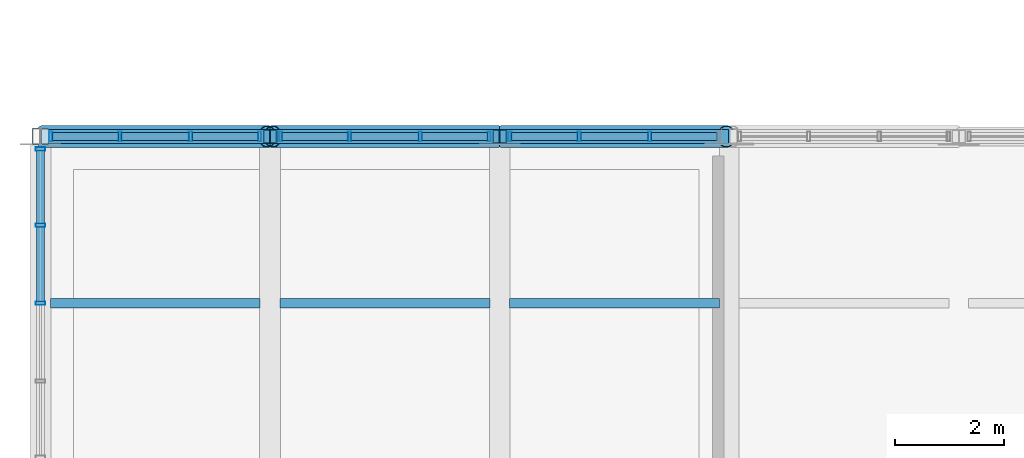
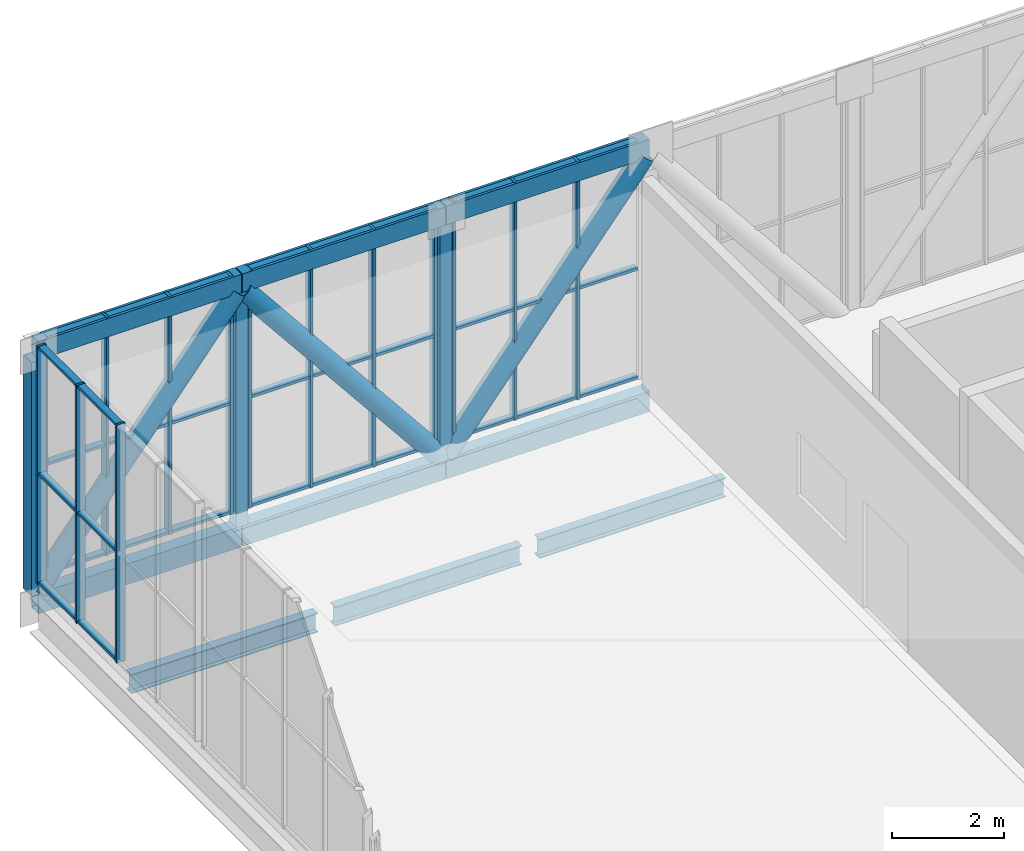
# One storey, part 12 of 58: 59 members, 3 beams, 4 elements without a shape of their own.
"""IFC4 building model written with IfcOpenShell, lengths in metres."""

from ifc_helpers import new_model, si_unit, direction, frame, origin, origin_2d, place, context, subcontext, project, spatial, hollow_rectangle, hollow_circle, i_section, extrude, material, material_profile, profile_set, type_object, element, aggregate, save


model = new_model("IFC4")

# Units and contexts
model_context = context("Model", 3, precision=1e-05, world=origin(), true_north=direction((0.0, 1.0)))
body_context = subcontext(model_context, "Body", "Model", "MODEL_VIEW")
ifc_project = project(units=[si_unit("LENGTHUNIT", "METRE"), si_unit("AREAUNIT", "SQUARE_METRE"), si_unit("VOLUMEUNIT", "CUBIC_METRE"), si_unit("PLANEANGLEUNIT", "RADIAN"), si_unit("MASSUNIT", "GRAM", prefix="KILO")], contexts=[model_context])

# Site, building, storey
site_placement = place(None, origin())
site = spatial("IfcSite", under=ifc_project, at=site_placement, CompositionType="ELEMENT")
building_placement = place(site_placement, origin())
building = spatial("IfcBuilding", under=site, at=building_placement, Name="Khurvash Pelagic Aquarium", CompositionType="ELEMENT")
storey_placement = place(building_placement, frame((0.0, 0.0, 24.60009765625)))
storey = spatial("IfcBuildingStorey", under=building, at=storey_placement, Name="L05", CompositionType="ELEMENT", Elevation=24.60009765625)

# Curtain wall, members
ifc_material_1 = material(Name="Anodised aluminium and low-E laminated glass", Category="aluminium")
curtain_wall_type_1 = type_object("IfcCurtainWallType", Name="CW-01", PredefinedType="USERDEFINED", material=ifc_material_1)
curtain_wall_1_placement = place(storey_placement, origin())
curtain_wall_1 = element("IfcCurtainWall", 1, at=curtain_wall_1_placement, inside=storey, type_object=curtain_wall_type_1, Name="L05 North Sky-Bar Unitised Curtain Wall CW-01 P01", ObjectType="UNITISED CURTAIN WALL", PredefinedType="USERDEFINED")
ifc_material_2 = material(Name="Extruded aluminium AW-6063-T6", Category="aluminium")
ifc_material_profile_1 = material_profile(ifc_material_2, hollow_rectangle(XDim=0.06005859375, YDim=0.179931640625, WallThickness=0.00390625, at=origin_2d()), Name="CWM60X180X4")
ifc_profile_set_1 = profile_set([ifc_material_profile_1], Name="Extruded aluminium AW-6063-T6")
member_type_1 = type_object("IfcMemberType", Name="CM-01", PredefinedType="MULLION", material=ifc_profile_set_1)
member_1_placement = place(storey_placement, frame((12.7900390625, 29.75, 0.0), z_axis=(0.0, 0.0, 1.0), x_axis=(1.0, 0.0, 0.0)))
member_1 = element("IfcMember", 2, at=member_1_placement, type_object=member_type_1, Name="CW-01 mullion 1", PredefinedType="MULLION", context=body_context, shape_type="SweptSolid", body=[
    extrude(hollow_rectangle(XDim=0.06005859375, YDim=0.179931640625, WallThickness=0.00390625, at=origin_2d()), origin(), (0.0, 0.0, 1.0), 5.179931640625),
])
member_2_placement = place(storey_placement, frame((14.05322265625, 29.75, 0.0), z_axis=(0.0, 0.0, 1.0), x_axis=(1.0, 0.0, 0.0)))
member_2 = element("IfcMember", 3, at=member_2_placement, type_object=member_type_1, Name="CW-01 mullion 2", PredefinedType="MULLION", context=body_context, shape_type="SweptSolid", body=[
    extrude(hollow_rectangle(XDim=0.06005859375, YDim=0.179931640625, WallThickness=0.00390625, at=origin_2d()), origin(), (0.0, 0.0, 1.0), 5.179931640625),
])
member_3_placement = place(storey_placement, frame((15.3466796875, 29.75, 0.0), z_axis=(0.0, 0.0, 1.0), x_axis=(1.0, 0.0, 0.0)))
member_3 = element("IfcMember", 4, at=member_3_placement, type_object=member_type_1, Name="CW-01 mullion 3", PredefinedType="MULLION", context=body_context, shape_type="SweptSolid", body=[
    extrude(hollow_rectangle(XDim=0.06005859375, YDim=0.179931640625, WallThickness=0.00390625, at=origin_2d()), origin(), (0.0, 0.0, 1.0), 5.179931640625),
])
member_4_placement = place(storey_placement, frame((16.610107421875, 29.75, 0.0), z_axis=(0.0, 0.0, 1.0), x_axis=(1.0, 0.0, 0.0)))
member_4 = element("IfcMember", 5, at=member_4_placement, type_object=member_type_1, Name="CW-01 mullion 4", PredefinedType="MULLION", context=body_context, shape_type="SweptSolid", body=[
    extrude(hollow_rectangle(XDim=0.06005859375, YDim=0.179931640625, WallThickness=0.00390625, at=origin_2d()), origin(), (0.0, 0.0, 1.0), 5.179931640625),
])

curtain_wall_2_placement = place(storey_placement, origin())
curtain_wall_2 = element("IfcCurtainWall", 6, at=curtain_wall_2_placement, inside=storey, type_object=curtain_wall_type_1, Name="L05 North Sky-Bar Unitised Curtain Wall CW-01 P02", ObjectType="UNITISED CURTAIN WALL", PredefinedType="USERDEFINED")
member_5_placement = place(storey_placement, frame((16.989990234375, 29.75, 0.0), z_axis=(0.0, 0.0, 1.0), x_axis=(1.0, 0.0, 0.0)))
member_5 = element("IfcMember", 7, at=member_5_placement, type_object=member_type_1, Name="CW-01 mullion 1", PredefinedType="MULLION", context=body_context, shape_type="SweptSolid", body=[
    extrude(hollow_rectangle(XDim=0.06005859375, YDim=0.179931640625, WallThickness=0.00390625, at=origin_2d()), origin(), (0.0, 0.0, 1.0), 5.179931640625),
])
member_6_placement = place(storey_placement, frame((18.25341796875, 29.75, 0.0), z_axis=(0.0, 0.0, 1.0), x_axis=(1.0, 0.0, 0.0)))
member_6 = element("IfcMember", 8, at=member_6_placement, type_object=member_type_1, Name="CW-01 mullion 2", PredefinedType="MULLION", context=body_context, shape_type="SweptSolid", body=[
    extrude(hollow_rectangle(XDim=0.06005859375, YDim=0.179931640625, WallThickness=0.00390625, at=origin_2d()), origin(), (0.0, 0.0, 1.0), 5.179931640625),
])
member_7_placement = place(storey_placement, frame((19.546630859375, 29.75, 0.0), z_axis=(0.0, 0.0, 1.0), x_axis=(1.0, 0.0, 0.0)))
member_7 = element("IfcMember", 9, at=member_7_placement, type_object=member_type_1, Name="CW-01 mullion 3", PredefinedType="MULLION", context=body_context, shape_type="SweptSolid", body=[
    extrude(hollow_rectangle(XDim=0.06005859375, YDim=0.179931640625, WallThickness=0.00390625, at=origin_2d()), origin(), (0.0, 0.0, 1.0), 5.179931640625),
])
member_8_placement = place(storey_placement, frame((20.81005859375, 29.75, 0.0), z_axis=(0.0, 0.0, 1.0), x_axis=(1.0, 0.0, 0.0)))
member_8 = element("IfcMember", 10, at=member_8_placement, type_object=member_type_1, Name="CW-01 mullion 4", PredefinedType="MULLION", context=body_context, shape_type="SweptSolid", body=[
    extrude(hollow_rectangle(XDim=0.06005859375, YDim=0.179931640625, WallThickness=0.00390625, at=origin_2d()), origin(), (0.0, 0.0, 1.0), 5.179931640625),
])

curtain_wall_3_placement = place(storey_placement, origin())
curtain_wall_3 = element("IfcCurtainWall", 11, at=curtain_wall_3_placement, inside=storey, type_object=curtain_wall_type_1, Name="L05 North Sky-Bar Unitised Curtain Wall CW-01 P03", ObjectType="UNITISED CURTAIN WALL", PredefinedType="USERDEFINED")
member_9_placement = place(storey_placement, frame((21.18994140625, 29.75, 0.0), z_axis=(0.0, 0.0, 1.0), x_axis=(1.0, 0.0, 0.0)))
member_9 = element("IfcMember", 12, at=member_9_placement, type_object=member_type_1, Name="CW-01 mullion 1", PredefinedType="MULLION", context=body_context, shape_type="SweptSolid", body=[
    extrude(hollow_rectangle(XDim=0.06005859375, YDim=0.179931640625, WallThickness=0.00390625, at=origin_2d()), origin(), (0.0, 0.0, 1.0), 5.179931640625),
])
member_10_placement = place(storey_placement, frame((22.453369140625, 29.75, 0.0), z_axis=(0.0, 0.0, 1.0), x_axis=(1.0, 0.0, 0.0)))
member_10 = element("IfcMember", 13, at=member_10_placement, type_object=member_type_1, Name="CW-01 mullion 2", PredefinedType="MULLION", context=body_context, shape_type="SweptSolid", body=[
    extrude(hollow_rectangle(XDim=0.06005859375, YDim=0.179931640625, WallThickness=0.00390625, at=origin_2d()), origin(), (0.0, 0.0, 1.0), 5.179931640625),
])
member_11_placement = place(storey_placement, frame((23.74658203125, 29.75, 0.0), z_axis=(0.0, 0.0, 1.0), x_axis=(1.0, 0.0, 0.0)))
member_11 = element("IfcMember", 14, at=member_11_placement, type_object=member_type_1, Name="CW-01 mullion 3", PredefinedType="MULLION", context=body_context, shape_type="SweptSolid", body=[
    extrude(hollow_rectangle(XDim=0.06005859375, YDim=0.179931640625, WallThickness=0.00390625, at=origin_2d()), origin(), (0.0, 0.0, 1.0), 5.179931640625),
])

curtain_wall_type_2 = type_object("IfcCurtainWallType", Name="CW-04", PredefinedType="USERDEFINED", material=ifc_material_1)
curtain_wall_4_placement = place(storey_placement, origin())
curtain_wall_4 = element("IfcCurtainWall", 15, at=curtain_wall_4_placement, inside=storey, type_object=curtain_wall_type_2, Name="L05 West Cantilever Overlook Curtain Wall CW-04", ObjectType="UNITISED CURTAIN WALL", PredefinedType="USERDEFINED")
member_12_placement = place(storey_placement, frame((12.60009765625, 26.699951171875, 0.0), z_axis=(0.0, 0.0, 1.0), x_axis=(0.0, 1.0, 0.0)))
member_12 = element("IfcMember", 16, at=member_12_placement, type_object=member_type_1, Name="CW-04 mullion 3", PredefinedType="MULLION", context=body_context, shape_type="SweptSolid", body=[
    extrude(hollow_rectangle(XDim=0.06005859375, YDim=0.179931640625, WallThickness=0.00390625, at=origin_2d()), origin(), (0.0, 0.0, 1.0), 5.179931640625),
])
member_13_placement = place(storey_placement, frame((12.60009765625, 28.125, 0.0), z_axis=(0.0, 0.0, 1.0), x_axis=(0.0, 1.0, 0.0)))
member_13 = element("IfcMember", 17, at=member_13_placement, type_object=member_type_1, Name="CW-04 mullion 4", PredefinedType="MULLION", context=body_context, shape_type="SweptSolid", body=[
    extrude(hollow_rectangle(XDim=0.06005859375, YDim=0.179931640625, WallThickness=0.00390625, at=origin_2d()), origin(), (0.0, 0.0, 1.0), 5.179931640625),
])
member_14_placement = place(storey_placement, frame((12.60009765625, 29.52001953125, 0.0), z_axis=(0.0, 0.0, 1.0), x_axis=(0.0, 1.0, 0.0)))
member_14 = element("IfcMember", 18, at=member_14_placement, type_object=member_type_1, Name="CW-04 mullion 5", PredefinedType="MULLION", context=body_context, shape_type="SweptSolid", body=[
    extrude(hollow_rectangle(XDim=0.06005859375, YDim=0.179931640625, WallThickness=0.00390625, at=origin_2d()), origin(), (0.0, 0.0, 1.0), 5.179931640625),
])

# Member
ifc_material_profile_2 = material_profile(ifc_material_2, hollow_rectangle(XDim=0.139892578125, YDim=0.06005859375, WallThickness=0.00390625, at=origin_2d()), Name="CWT140X60X4")
ifc_profile_set_2 = profile_set([ifc_material_profile_2], Name="Extruded aluminium AW-6063-T6")
member_type_2 = type_object("IfcMemberType", Name="CT-01", PredefinedType="USERDEFINED", material=ifc_profile_set_2)
member_15_placement = place(storey_placement, frame((12.820068359375, 29.75, 0.02978515625), z_axis=(1.0, 0.0, 0.0), x_axis=(0.0, 1.0, 0.0)))
member_15 = element("IfcMember", 19, at=member_15_placement, type_object=member_type_2, Name="CW-01 transom 1.1", ObjectType="TRANSOM", PredefinedType="USERDEFINED", context=body_context, shape_type="SweptSolid", body=[
    extrude(hollow_rectangle(XDim=0.139892578125, YDim=0.06005859375, WallThickness=0.00390625, at=origin_2d()), origin(), (0.0, 0.0, 1.0), 1.203369140625),
])

member_16_placement = place(storey_placement, frame((12.820068359375, 29.75, 2.39990234375), z_axis=(1.0, 0.0, 0.0), x_axis=(0.0, 1.0, 0.0)))
member_16 = element("IfcMember", 20, at=member_16_placement, type_object=member_type_2, Name="CW-01 transom 1.2", ObjectType="TRANSOM", PredefinedType="USERDEFINED", context=body_context, shape_type="SweptSolid", body=[
    extrude(hollow_rectangle(XDim=0.139892578125, YDim=0.06005859375, WallThickness=0.00390625, at=origin_2d()), origin(), (0.0, 0.0, 1.0), 1.203369140625),
])

member_17_placement = place(storey_placement, frame((12.820068359375, 29.75, 5.14990234375), z_axis=(1.0, 0.0, 0.0), x_axis=(0.0, 1.0, 0.0)))
member_17 = element("IfcMember", 21, at=member_17_placement, type_object=member_type_2, Name="CW-01 transom 1.3", ObjectType="TRANSOM", PredefinedType="USERDEFINED", context=body_context, shape_type="SweptSolid", body=[
    extrude(hollow_rectangle(XDim=0.139892578125, YDim=0.06005859375, WallThickness=0.00390625, at=origin_2d()), origin(), (0.0, 0.0, 1.0), 1.203369140625),
])

member_18_placement = place(storey_placement, frame((14.083251953125, 29.75, 0.02978515625), z_axis=(1.0, 0.0, 0.0), x_axis=(0.0, 1.0, 0.0)))
member_18 = element("IfcMember", 22, at=member_18_placement, type_object=member_type_2, Name="CW-01 transom 2.1", ObjectType="TRANSOM", PredefinedType="USERDEFINED", context=body_context, shape_type="SweptSolid", body=[
    extrude(hollow_rectangle(XDim=0.139892578125, YDim=0.06005859375, WallThickness=0.00390625, at=origin_2d()), origin(), (0.0, 0.0, 1.0), 1.2333984375),
])

member_19_placement = place(storey_placement, frame((14.083251953125, 29.75, 2.39990234375), z_axis=(1.0, 0.0, 0.0), x_axis=(0.0, 1.0, 0.0)))
member_19 = element("IfcMember", 23, at=member_19_placement, type_object=member_type_2, Name="CW-01 transom 2.2", ObjectType="TRANSOM", PredefinedType="USERDEFINED", context=body_context, shape_type="SweptSolid", body=[
    extrude(hollow_rectangle(XDim=0.139892578125, YDim=0.06005859375, WallThickness=0.00390625, at=origin_2d()), origin(), (0.0, 0.0, 1.0), 1.2333984375),
])

member_20_placement = place(storey_placement, frame((14.083251953125, 29.75, 5.14990234375), z_axis=(1.0, 0.0, 0.0), x_axis=(0.0, 1.0, 0.0)))
member_20 = element("IfcMember", 24, at=member_20_placement, type_object=member_type_2, Name="CW-01 transom 2.3", ObjectType="TRANSOM", PredefinedType="USERDEFINED", context=body_context, shape_type="SweptSolid", body=[
    extrude(hollow_rectangle(XDim=0.139892578125, YDim=0.06005859375, WallThickness=0.00390625, at=origin_2d()), origin(), (0.0, 0.0, 1.0), 1.2333984375),
])

member_21_placement = place(storey_placement, frame((15.376708984375, 29.75, 0.02978515625), z_axis=(1.0, 0.0, 0.0), x_axis=(0.0, 1.0, 0.0)))
member_21 = element("IfcMember", 25, at=member_21_placement, type_object=member_type_2, Name="CW-01 transom 3.1", ObjectType="TRANSOM", PredefinedType="USERDEFINED", context=body_context, shape_type="SweptSolid", body=[
    extrude(hollow_rectangle(XDim=0.139892578125, YDim=0.06005859375, WallThickness=0.00390625, at=origin_2d()), origin(), (0.0, 0.0, 1.0), 1.203369140625),
])

member_22_placement = place(storey_placement, frame((15.376708984375, 29.75, 2.39990234375), z_axis=(1.0, 0.0, 0.0), x_axis=(0.0, 1.0, 0.0)))
member_22 = element("IfcMember", 26, at=member_22_placement, type_object=member_type_2, Name="CW-01 transom 3.2", ObjectType="TRANSOM", PredefinedType="USERDEFINED", context=body_context, shape_type="SweptSolid", body=[
    extrude(hollow_rectangle(XDim=0.139892578125, YDim=0.06005859375, WallThickness=0.00390625, at=origin_2d()), origin(), (0.0, 0.0, 1.0), 1.203369140625),
])

member_23_placement = place(storey_placement, frame((15.376708984375, 29.75, 5.14990234375), z_axis=(1.0, 0.0, 0.0), x_axis=(0.0, 1.0, 0.0)))
member_23 = element("IfcMember", 27, at=member_23_placement, type_object=member_type_2, Name="CW-01 transom 3.3", ObjectType="TRANSOM", PredefinedType="USERDEFINED", context=body_context, shape_type="SweptSolid", body=[
    extrude(hollow_rectangle(XDim=0.139892578125, YDim=0.06005859375, WallThickness=0.00390625, at=origin_2d()), origin(), (0.0, 0.0, 1.0), 1.203369140625),
])

aggregate(curtain_wall_1, [member_1, member_2, member_3, member_4, member_15, member_16, member_17, member_18, member_19, member_20, member_21, member_22, member_23])

member_24_placement = place(storey_placement, frame((17.02001953125, 29.75, 0.02978515625), z_axis=(1.0, 0.0, 0.0), x_axis=(0.0, 1.0, 0.0)))
member_24 = element("IfcMember", 28, at=member_24_placement, type_object=member_type_2, Name="CW-01 transom 1.1", ObjectType="TRANSOM", PredefinedType="USERDEFINED", context=body_context, shape_type="SweptSolid", body=[
    extrude(hollow_rectangle(XDim=0.139892578125, YDim=0.06005859375, WallThickness=0.00390625, at=origin_2d()), origin(), (0.0, 0.0, 1.0), 1.203369140625),
])

member_25_placement = place(storey_placement, frame((17.02001953125, 29.75, 2.39990234375), z_axis=(1.0, 0.0, 0.0), x_axis=(0.0, 1.0, 0.0)))
member_25 = element("IfcMember", 29, at=member_25_placement, type_object=member_type_2, Name="CW-01 transom 1.2", ObjectType="TRANSOM", PredefinedType="USERDEFINED", context=body_context, shape_type="SweptSolid", body=[
    extrude(hollow_rectangle(XDim=0.139892578125, YDim=0.06005859375, WallThickness=0.00390625, at=origin_2d()), origin(), (0.0, 0.0, 1.0), 1.203369140625),
])

member_26_placement = place(storey_placement, frame((17.02001953125, 29.75, 5.14990234375), z_axis=(1.0, 0.0, 0.0), x_axis=(0.0, 1.0, 0.0)))
member_26 = element("IfcMember", 30, at=member_26_placement, type_object=member_type_2, Name="CW-01 transom 1.3", ObjectType="TRANSOM", PredefinedType="USERDEFINED", context=body_context, shape_type="SweptSolid", body=[
    extrude(hollow_rectangle(XDim=0.139892578125, YDim=0.06005859375, WallThickness=0.00390625, at=origin_2d()), origin(), (0.0, 0.0, 1.0), 1.203369140625),
])

member_27_placement = place(storey_placement, frame((18.283447265625, 29.75, 0.02978515625), z_axis=(1.0, 0.0, 0.0), x_axis=(0.0, 1.0, 0.0)))
member_27 = element("IfcMember", 31, at=member_27_placement, type_object=member_type_2, Name="CW-01 transom 2.1", ObjectType="TRANSOM", PredefinedType="USERDEFINED", context=body_context, shape_type="SweptSolid", body=[
    extrude(hollow_rectangle(XDim=0.139892578125, YDim=0.06005859375, WallThickness=0.00390625, at=origin_2d()), origin(), (0.0, 0.0, 1.0), 1.233154296875),
])

member_28_placement = place(storey_placement, frame((18.283447265625, 29.75, 2.39990234375), z_axis=(1.0, 0.0, 0.0), x_axis=(0.0, 1.0, 0.0)))
member_28 = element("IfcMember", 32, at=member_28_placement, type_object=member_type_2, Name="CW-01 transom 2.2", ObjectType="TRANSOM", PredefinedType="USERDEFINED", context=body_context, shape_type="SweptSolid", body=[
    extrude(hollow_rectangle(XDim=0.139892578125, YDim=0.06005859375, WallThickness=0.00390625, at=origin_2d()), origin(), (0.0, 0.0, 1.0), 1.233154296875),
])

member_29_placement = place(storey_placement, frame((18.283447265625, 29.75, 5.14990234375), z_axis=(1.0, 0.0, 0.0), x_axis=(0.0, 1.0, 0.0)))
member_29 = element("IfcMember", 33, at=member_29_placement, type_object=member_type_2, Name="CW-01 transom 2.3", ObjectType="TRANSOM", PredefinedType="USERDEFINED", context=body_context, shape_type="SweptSolid", body=[
    extrude(hollow_rectangle(XDim=0.139892578125, YDim=0.06005859375, WallThickness=0.00390625, at=origin_2d()), origin(), (0.0, 0.0, 1.0), 1.233154296875),
])

member_30_placement = place(storey_placement, frame((19.57666015625, 29.75, 0.02978515625), z_axis=(1.0, 0.0, 0.0), x_axis=(0.0, 1.0, 0.0)))
member_30 = element("IfcMember", 34, at=member_30_placement, type_object=member_type_2, Name="CW-01 transom 3.1", ObjectType="TRANSOM", PredefinedType="USERDEFINED", context=body_context, shape_type="SweptSolid", body=[
    extrude(hollow_rectangle(XDim=0.139892578125, YDim=0.06005859375, WallThickness=0.00390625, at=origin_2d()), origin(), (0.0, 0.0, 1.0), 1.203369140625),
])

member_31_placement = place(storey_placement, frame((19.57666015625, 29.75, 2.39990234375), z_axis=(1.0, 0.0, 0.0), x_axis=(0.0, 1.0, 0.0)))
member_31 = element("IfcMember", 35, at=member_31_placement, type_object=member_type_2, Name="CW-01 transom 3.2", ObjectType="TRANSOM", PredefinedType="USERDEFINED", context=body_context, shape_type="SweptSolid", body=[
    extrude(hollow_rectangle(XDim=0.139892578125, YDim=0.06005859375, WallThickness=0.00390625, at=origin_2d()), origin(), (0.0, 0.0, 1.0), 1.203369140625),
])

member_32_placement = place(storey_placement, frame((19.57666015625, 29.75, 5.14990234375), z_axis=(1.0, 0.0, 0.0), x_axis=(0.0, 1.0, 0.0)))
member_32 = element("IfcMember", 36, at=member_32_placement, type_object=member_type_2, Name="CW-01 transom 3.3", ObjectType="TRANSOM", PredefinedType="USERDEFINED", context=body_context, shape_type="SweptSolid", body=[
    extrude(hollow_rectangle(XDim=0.139892578125, YDim=0.06005859375, WallThickness=0.00390625, at=origin_2d()), origin(), (0.0, 0.0, 1.0), 1.203369140625),
])

aggregate(curtain_wall_2, [member_5, member_6, member_7, member_8, member_24, member_25, member_26, member_27, member_28, member_29, member_30, member_31, member_32])

member_33_placement = place(storey_placement, frame((21.219970703125, 29.75, 0.02978515625), z_axis=(1.0, 0.0, 0.0), x_axis=(0.0, 1.0, 0.0)))
member_33 = element("IfcMember", 37, at=member_33_placement, type_object=member_type_2, Name="CW-01 transom 1.1", ObjectType="TRANSOM", PredefinedType="USERDEFINED", context=body_context, shape_type="SweptSolid", body=[
    extrude(hollow_rectangle(XDim=0.139892578125, YDim=0.06005859375, WallThickness=0.00390625, at=origin_2d()), origin(), (0.0, 0.0, 1.0), 1.203369140625),
])

member_34_placement = place(storey_placement, frame((21.219970703125, 29.75, 2.39990234375), z_axis=(1.0, 0.0, 0.0), x_axis=(0.0, 1.0, 0.0)))
member_34 = element("IfcMember", 38, at=member_34_placement, type_object=member_type_2, Name="CW-01 transom 1.2", ObjectType="TRANSOM", PredefinedType="USERDEFINED", context=body_context, shape_type="SweptSolid", body=[
    extrude(hollow_rectangle(XDim=0.139892578125, YDim=0.06005859375, WallThickness=0.00390625, at=origin_2d()), origin(), (0.0, 0.0, 1.0), 1.203369140625),
])

member_35_placement = place(storey_placement, frame((21.219970703125, 29.75, 5.14990234375), z_axis=(1.0, 0.0, 0.0), x_axis=(0.0, 1.0, 0.0)))
member_35 = element("IfcMember", 39, at=member_35_placement, type_object=member_type_2, Name="CW-01 transom 1.3", ObjectType="TRANSOM", PredefinedType="USERDEFINED", context=body_context, shape_type="SweptSolid", body=[
    extrude(hollow_rectangle(XDim=0.139892578125, YDim=0.06005859375, WallThickness=0.00390625, at=origin_2d()), origin(), (0.0, 0.0, 1.0), 1.203369140625),
])

member_36_placement = place(storey_placement, frame((22.4833984375, 29.75, 0.02978515625), z_axis=(1.0, 0.0, 0.0), x_axis=(0.0, 1.0, 0.0)))
member_36 = element("IfcMember", 40, at=member_36_placement, type_object=member_type_2, Name="CW-01 transom 2.1", ObjectType="TRANSOM", PredefinedType="USERDEFINED", context=body_context, shape_type="SweptSolid", body=[
    extrude(hollow_rectangle(XDim=0.139892578125, YDim=0.06005859375, WallThickness=0.00390625, at=origin_2d()), origin(), (0.0, 0.0, 1.0), 1.233154296875),
])

member_37_placement = place(storey_placement, frame((22.4833984375, 29.75, 2.39990234375), z_axis=(1.0, 0.0, 0.0), x_axis=(0.0, 1.0, 0.0)))
member_37 = element("IfcMember", 41, at=member_37_placement, type_object=member_type_2, Name="CW-01 transom 2.2", ObjectType="TRANSOM", PredefinedType="USERDEFINED", context=body_context, shape_type="SweptSolid", body=[
    extrude(hollow_rectangle(XDim=0.139892578125, YDim=0.06005859375, WallThickness=0.00390625, at=origin_2d()), origin(), (0.0, 0.0, 1.0), 1.233154296875),
])

member_38_placement = place(storey_placement, frame((22.4833984375, 29.75, 5.14990234375), z_axis=(1.0, 0.0, 0.0), x_axis=(0.0, 1.0, 0.0)))
member_38 = element("IfcMember", 42, at=member_38_placement, type_object=member_type_2, Name="CW-01 transom 2.3", ObjectType="TRANSOM", PredefinedType="USERDEFINED", context=body_context, shape_type="SweptSolid", body=[
    extrude(hollow_rectangle(XDim=0.139892578125, YDim=0.06005859375, WallThickness=0.00390625, at=origin_2d()), origin(), (0.0, 0.0, 1.0), 1.233154296875),
])

member_39_placement = place(storey_placement, frame((23.776611328125, 29.75, 0.02978515625), z_axis=(1.0, 0.0, 0.0), x_axis=(0.0, 1.0, 0.0)))
member_39 = element("IfcMember", 43, at=member_39_placement, type_object=member_type_2, Name="CW-01 transom 3.1", ObjectType="TRANSOM", PredefinedType="USERDEFINED", context=body_context, shape_type="SweptSolid", body=[
    extrude(hollow_rectangle(XDim=0.139892578125, YDim=0.06005859375, WallThickness=0.00390625, at=origin_2d()), origin(), (0.0, 0.0, 1.0), 1.203369140625),
])

member_40_placement = place(storey_placement, frame((23.776611328125, 29.75, 2.39990234375), z_axis=(1.0, 0.0, 0.0), x_axis=(0.0, 1.0, 0.0)))
member_40 = element("IfcMember", 44, at=member_40_placement, type_object=member_type_2, Name="CW-01 transom 3.2", ObjectType="TRANSOM", PredefinedType="USERDEFINED", context=body_context, shape_type="SweptSolid", body=[
    extrude(hollow_rectangle(XDim=0.139892578125, YDim=0.06005859375, WallThickness=0.00390625, at=origin_2d()), origin(), (0.0, 0.0, 1.0), 1.203369140625),
])

member_41_placement = place(storey_placement, frame((23.776611328125, 29.75, 5.14990234375), z_axis=(1.0, 0.0, 0.0), x_axis=(0.0, 1.0, 0.0)))
member_41 = element("IfcMember", 45, at=member_41_placement, type_object=member_type_2, Name="CW-01 transom 3.3", ObjectType="TRANSOM", PredefinedType="USERDEFINED", context=body_context, shape_type="SweptSolid", body=[
    extrude(hollow_rectangle(XDim=0.139892578125, YDim=0.06005859375, WallThickness=0.00390625, at=origin_2d()), origin(), (0.0, 0.0, 1.0), 1.203369140625),
])

aggregate(curtain_wall_3, [member_9, member_10, member_11, member_33, member_34, member_35, member_36, member_37, member_38, member_39, member_40, member_41])

member_42_placement = place(storey_placement, frame((12.60009765625, 26.72998046875, 0.02978515625), z_axis=(0.0, 1.0, 0.0), x_axis=(-1.0, 0.0, 0.0)))
member_42 = element("IfcMember", 46, at=member_42_placement, type_object=member_type_2, Name="CW-04 transom 3.1", ObjectType="TRANSOM", PredefinedType="USERDEFINED", context=body_context, shape_type="SweptSolid", body=[
    extrude(hollow_rectangle(XDim=0.139892578125, YDim=0.06005859375, WallThickness=0.00390625, at=origin_2d()), origin(), (0.0, 0.0, 1.0), 1.364990234375),
])

member_43_placement = place(storey_placement, frame((12.60009765625, 26.72998046875, 2.39990234375), z_axis=(0.0, 1.0, 0.0), x_axis=(-1.0, 0.0, 0.0)))
member_43 = element("IfcMember", 47, at=member_43_placement, type_object=member_type_2, Name="CW-04 transom 3.2", ObjectType="TRANSOM", PredefinedType="USERDEFINED", context=body_context, shape_type="SweptSolid", body=[
    extrude(hollow_rectangle(XDim=0.139892578125, YDim=0.06005859375, WallThickness=0.00390625, at=origin_2d()), origin(), (0.0, 0.0, 1.0), 1.364990234375),
])

member_44_placement = place(storey_placement, frame((12.60009765625, 26.72998046875, 5.14990234375), z_axis=(0.0, 1.0, 0.0), x_axis=(-1.0, 0.0, 0.0)))
member_44 = element("IfcMember", 48, at=member_44_placement, type_object=member_type_2, Name="CW-04 transom 3.3", ObjectType="TRANSOM", PredefinedType="USERDEFINED", context=body_context, shape_type="SweptSolid", body=[
    extrude(hollow_rectangle(XDim=0.139892578125, YDim=0.06005859375, WallThickness=0.00390625, at=origin_2d()), origin(), (0.0, 0.0, 1.0), 1.364990234375),
])

member_45_placement = place(storey_placement, frame((12.60009765625, 28.155029296875, 0.02978515625), z_axis=(0.0, 1.0, 0.0), x_axis=(-1.0, 0.0, 0.0)))
member_45 = element("IfcMember", 49, at=member_45_placement, type_object=member_type_2, Name="CW-04 transom 4.1", ObjectType="TRANSOM", PredefinedType="USERDEFINED", context=body_context, shape_type="SweptSolid", body=[
    extrude(hollow_rectangle(XDim=0.139892578125, YDim=0.06005859375, WallThickness=0.00390625, at=origin_2d()), origin(), (0.0, 0.0, 1.0), 1.3349609375),
])

member_46_placement = place(storey_placement, frame((12.60009765625, 28.155029296875, 2.39990234375), z_axis=(0.0, 1.0, 0.0), x_axis=(-1.0, 0.0, 0.0)))
member_46 = element("IfcMember", 50, at=member_46_placement, type_object=member_type_2, Name="CW-04 transom 4.2", ObjectType="TRANSOM", PredefinedType="USERDEFINED", context=body_context, shape_type="SweptSolid", body=[
    extrude(hollow_rectangle(XDim=0.139892578125, YDim=0.06005859375, WallThickness=0.00390625, at=origin_2d()), origin(), (0.0, 0.0, 1.0), 1.3349609375),
])

member_47_placement = place(storey_placement, frame((12.60009765625, 28.155029296875, 5.14990234375), z_axis=(0.0, 1.0, 0.0), x_axis=(-1.0, 0.0, 0.0)))
member_47 = element("IfcMember", 51, at=member_47_placement, type_object=member_type_2, Name="CW-04 transom 4.3", ObjectType="TRANSOM", PredefinedType="USERDEFINED", context=body_context, shape_type="SweptSolid", body=[
    extrude(hollow_rectangle(XDim=0.139892578125, YDim=0.06005859375, WallThickness=0.00390625, at=origin_2d()), origin(), (0.0, 0.0, 1.0), 1.3349609375),
])

aggregate(curtain_wall_4, [member_12, member_13, member_14, member_42, member_43, member_44, member_45, member_46, member_47])

# Beams
ifc_material_3 = material(Name="Steel ASTM A992 Grade 50", Category="steel")
ifc_material_profile_3 = material_profile(ifc_material_3, i_section(OverallWidth=0.180908203125, OverallDepth=0.4169921875, WebThickness=0.010986328125, FlangeThickness=0.018310546875, at=origin_2d()), Name="W16X57")
ifc_profile_set_3 = profile_set([ifc_material_profile_3], Name="Steel ASTM A992 Grade 50")
beam_type = type_object("IfcBeamType", Name="JS-03", PredefinedType="JOIST", material=ifc_profile_set_3)
for number, where, z_axis, x_axis, name in (
    (52, (12.780029296875, 26.699951171875, -0.508544921875), (1.0, 0.0, 0.0), (0.0, 1.0, 0.0), "L05 Sky-Bar Floor Joist JS-03 P01"),
    (53, (16.97998046875, 26.699951171875, -0.508544921875), (1.0, 0.0, 0.0), (0.0, 1.0, 0.0), "L05 Sky-Bar Floor Joist JS-03 P02"),
    (54, (21.179931640625, 26.699951171875, -0.508544921875), (1.0, 0.0, 0.0), (0.0, 1.0, 0.0), "L05 Sky-Bar Floor Joist JS-03 P03"),
):
    element("IfcBeam", number, at=place(storey_placement, frame(where, z_axis=z_axis, x_axis=x_axis)), inside=storey, type_object=beam_type, Name=name, PredefinedType="JOIST", context=body_context, shape_type="SweptSolid", body=[
        extrude(i_section(OverallWidth=0.180908203125, OverallDepth=0.4169921875, WebThickness=0.010986328125, FlangeThickness=0.018310546875, at=origin_2d()), origin(), (0.0, 0.0, 1.0), 3.840087890625),
    ])

# Members
ifc_material_4 = material(Name="Steel S355J2", Category="steel")
ifc_material_profile_4 = material_profile(ifc_material_4, hollow_rectangle(XDim=0.25, YDim=0.449951171875, WallThickness=0.02001953125, at=origin_2d()), Name="RHS450X250X20")
ifc_profile_set_4 = profile_set([ifc_material_profile_4], Name="Steel S355J2")
member_type_3 = type_object("IfcMemberType", Name="TC-01", PredefinedType="CHORD", material=ifc_profile_set_4)
for number, where, z_axis, x_axis, name in (
    (55, (12.610107421875, 29.75, -0.525146484375), (1.0, 0.0, 0.0), (0.0, 1.0, 0.0), "L05 North Sky-Bar Warren Truss Bottom Chord TC-01 P01"),
    (56, (16.81005859375, 29.75, -0.525146484375), (1.0, 0.0, 0.0), (0.0, 1.0, 0.0), "L05 North Sky-Bar Warren Truss Bottom Chord TC-01 P02"),
    (57, (21.010009765625, 29.75, -0.525146484375), (1.0, 0.0, 0.0), (0.0, 1.0, 0.0), "L05 North Sky-Bar Warren Truss Bottom Chord TC-01 P03"),
):
    element("IfcMember", number, at=place(storey_placement, frame(where, z_axis=z_axis, x_axis=x_axis)), inside=storey, type_object=member_type_3, Name=name, PredefinedType="CHORD", context=body_context, shape_type="SweptSolid", body=[
        extrude(hollow_rectangle(XDim=0.25, YDim=0.449951171875, WallThickness=0.02001953125, at=origin_2d()), origin(), (0.0, 0.0, 1.0), 4.179931640625),
    ])
ifc_material_profile_5 = material_profile(ifc_material_4, hollow_rectangle(XDim=0.25, YDim=0.39990234375, WallThickness=0.01611328125, at=origin_2d()), Name="RHS400X250X16")
ifc_profile_set_5 = profile_set([ifc_material_profile_5], Name="Steel S355J2")
member_type_4 = type_object("IfcMemberType", Name="TC-02", PredefinedType="CHORD", material=ifc_profile_set_5)
for number, where, z_axis, x_axis, name in (
    (58, (12.610107421875, 29.75, 4.97998046875), (1.0, 0.0, 0.0), (0.0, 1.0, 0.0), "L05 North Sky-Bar Warren Truss Top Chord TC-02 P01"),
    (59, (16.81005859375, 29.75, 4.97998046875), (1.0, 0.0, 0.0), (0.0, 1.0, 0.0), "L05 North Sky-Bar Warren Truss Top Chord TC-02 P02"),
    (60, (21.010009765625, 29.75, 4.97998046875), (1.0, 0.0, 0.0), (0.0, 1.0, 0.0), "L05 North Sky-Bar Warren Truss Top Chord TC-02 P03"),
):
    element("IfcMember", number, at=place(storey_placement, frame(where, z_axis=z_axis, x_axis=x_axis)), inside=storey, type_object=member_type_4, Name=name, PredefinedType="CHORD", context=body_context, shape_type="SweptSolid", body=[
        extrude(hollow_rectangle(XDim=0.25, YDim=0.39990234375, WallThickness=0.01611328125, at=origin_2d()), origin(), (0.0, 0.0, 1.0), 4.179931640625),
    ])
ifc_material_profile_6 = material_profile(ifc_material_4, hollow_circle(Radius=0.203125, WallThickness=0.01611328125, at=origin_2d()), Name="CHS406X16")
ifc_profile_set_6 = profile_set([ifc_material_profile_6], Name="Steel S355J2")
member_type_5 = type_object("IfcMemberType", Name="TD-01", PredefinedType="BRACE", material=ifc_profile_set_6)
member_48_placement = place(storey_placement, frame((12.64990234375, 29.75, -0.300048828125), z_axis=(0.628073304864, 0.0, 0.778154177343), x_axis=(0.0, 1.0, 0.0)))
element("IfcMember", 61, at=member_48_placement, inside=storey, type_object=member_type_5, Name="L05 North Sky-Bar Warren Truss Diagonal TD-01 P01", PredefinedType="BRACE", context=body_context, shape_type="SweptSolid", body=[
    extrude(hollow_circle(Radius=0.203125, WallThickness=0.01611328125, at=origin_2d()), origin(), (0.0, 0.0, 1.0), 6.528076171875),
])
for number, where, z_axis, x_axis, name in (
    (62, (16.85009765625, 29.75, 4.77978515625), (0.628050658275, 0.0, -0.778172455591), (0.0, 1.0, 0.0), "L05 North Sky-Bar Warren Truss Diagonal TD-01 P02"),
    (63, (21.050048828125, 29.75, -0.300048828125), (0.628050658275, 0.0, 0.778172455591), (0.0, 1.0, 0.0), "L05 North Sky-Bar Warren Truss Diagonal TD-01 P03"),
):
    element("IfcMember", number, at=place(storey_placement, frame(where, z_axis=z_axis, x_axis=x_axis)), inside=storey, type_object=member_type_5, Name=name, PredefinedType="BRACE", context=body_context, shape_type="SweptSolid", body=[
        extrude(hollow_circle(Radius=0.203125, WallThickness=0.01611328125, at=origin_2d()), origin(), (0.0, 0.0, 1.0), 6.52783203125),
    ])
ifc_material_profile_7 = material_profile(ifc_material_4, hollow_rectangle(XDim=0.300048828125, YDim=0.300048828125, WallThickness=0.01611328125, at=origin_2d()), Name="SHS300X300X16")
ifc_profile_set_7 = profile_set([ifc_material_profile_7], Name="Steel S355J2")
member_type_6 = type_object("IfcMemberType", Name="TV-01", PredefinedType="POST", material=ifc_profile_set_7)
member_49_placement = place(storey_placement, frame((12.60009765625, 29.75, -0.300048828125), z_axis=(0.0, 0.0, 1.0), x_axis=(1.0, 0.0, 0.0)))
element("IfcMember", 64, at=member_49_placement, inside=storey, type_object=member_type_6, Name="L05 North Sky-Bar Truss Post TV-01 N01", PredefinedType="POST", context=body_context, shape_type="SweptSolid", body=[
    extrude(hollow_rectangle(XDim=0.300048828125, YDim=0.300048828125, WallThickness=0.01611328125, at=origin_2d()), origin(), (0.0, 0.0, 1.0), 5.079833984375),
])
ifc_material_profile_8 = material_profile(ifc_material_4, hollow_rectangle(XDim=0.25, YDim=0.25, WallThickness=0.012451171875, at=origin_2d()), Name="SHS250X250X12")
ifc_profile_set_8 = profile_set([ifc_material_profile_8], Name="Steel S355J2")
member_type_7 = type_object("IfcMemberType", Name="TV-02", PredefinedType="POST", material=ifc_profile_set_8)
for number, where, z_axis, x_axis, name in (
    (65, (16.800048828125, 29.75, -0.300048828125), (0.0, 0.0, 1.0), (1.0, 0.0, 0.0), "L05 North Sky-Bar Truss Post TV-02 N02"),
    (66, (21.0, 29.75, -0.300048828125), (0.0, 0.0, 1.0), (1.0, 0.0, 0.0), "L05 North Sky-Bar Truss Post TV-02 N03"),
):
    element("IfcMember", number, at=place(storey_placement, frame(where, z_axis=z_axis, x_axis=x_axis)), inside=storey, type_object=member_type_7, Name=name, PredefinedType="POST", context=body_context, shape_type="SweptSolid", body=[
        extrude(hollow_rectangle(XDim=0.25, YDim=0.25, WallThickness=0.012451171875, at=origin_2d()), origin(), (0.0, 0.0, 1.0), 5.079833984375),
    ])

save(model, "model.ifc")
